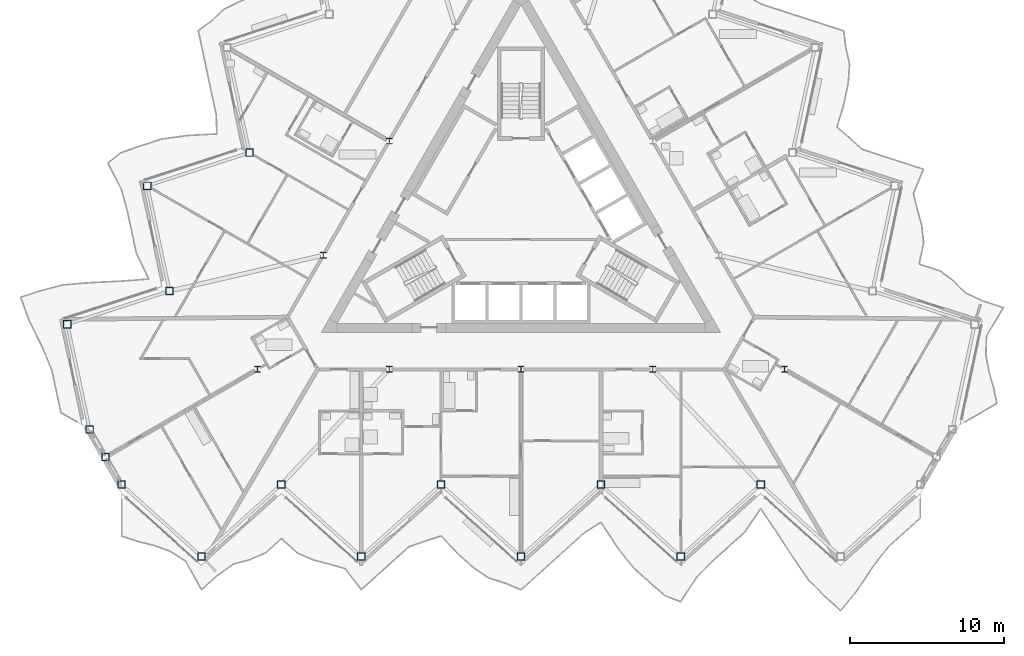
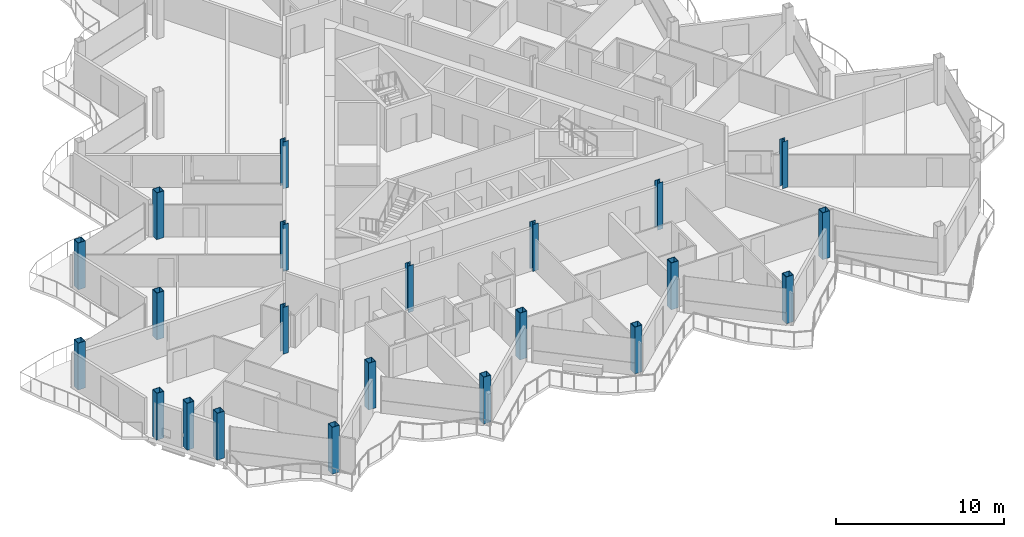
# One storey, part 1 of 26: 22 columns.
"""IFC4 building model written with IfcOpenShell, lengths in metres."""

from ifc_helpers import new_model, si_unit, direction, frame, origin, origin_2d, place, context, subcontext, project, spatial, hollow_rectangle, i_section, extrude, material, material_profile, profile_set, type_object, element, save


model = new_model("IFC4")

# Units and contexts
model_context = context("Model", 3, precision=1e-05, world=origin(), true_north=direction((0.0, 1.0)))
body_context = subcontext(model_context, "Body", "Model", "MODEL_VIEW")
ifc_project = project(units=[si_unit("LENGTHUNIT", "METRE"), si_unit("AREAUNIT", "SQUARE_METRE"), si_unit("VOLUMEUNIT", "CUBIC_METRE"), si_unit("PLANEANGLEUNIT", "RADIAN"), si_unit("MASSUNIT", "GRAM", prefix="KILO")], contexts=[model_context])

# Site, building, storey
site_placement = place(None, origin())
site = spatial("IfcSite", under=ifc_project, at=site_placement, CompositionType="ELEMENT")
building_placement = place(site_placement, origin())
building = spatial("IfcBuilding", under=site, at=building_placement, Name="Cormorant Prow Tower", CompositionType="ELEMENT")
storey_placement = place(building_placement, frame((0.0, 0.0, 371.199951171875)))
storey = spatial("IfcBuildingStorey", under=building, at=storey_placement, Name="L83", CompositionType="ELEMENT", Elevation=371.199951171875)

# Columns
ifc_material_1 = material(Name="Structural steel ASTM A572 Gr 50", Category="steel")
ifc_material_profile_1 = material_profile(ifc_material_1, hollow_rectangle(XDim=0.5, YDim=0.5, WallThickness=0.030029296875, at=origin_2d()), Name="Box 500x500x30")
ifc_profile_set_1 = profile_set([ifc_material_profile_1], Name="Structural steel ASTM A572 Gr 50")
column_type_1 = type_object("IfcColumnType", Name="Perimeter box column 500x500x30", PredefinedType="COLUMN", material=ifc_profile_set_1)
for number, where, z_axis, x_axis, name in (
    (1, (-26.0, -17.40576171875, 0.0), (0.0, 0.0, 1.0), (1.0, 0.0, 0.0), "Perimeter column C7 at S00 L83"),
    (2, (-20.800048828125, -22.087890625, 0.0), (0.0, 0.0, 1.0), (1.0, 0.0, 0.0), "Perimeter column C7 at S01 L83"),
    (3, (-15.60009765625, -17.40576171875, 0.0), (0.0, 0.0, 1.0), (1.0, 0.0, 0.0), "Perimeter column C7 at S02 L83"),
    (4, (-10.39990234375, -22.087890625, 0.0), (0.0, 0.0, 1.0), (1.0, 0.0, 0.0), "Perimeter column C7 at S03 L83"),
    (5, (-5.199951171875, -17.40576171875, 0.0), (0.0, 0.0, 1.0), (1.0, 0.0, 0.0), "Perimeter column C7 at S04 L83"),
    (6, (0.0, -22.087890625, 0.0), (0.0, 0.0, 1.0), (1.0, 0.0, 0.0), "Perimeter column C7 at S05 L83"),
    (7, (5.199951171875, -17.40576171875, 0.0), (0.0, 0.0, 1.0), (1.0, 0.0, 0.0), "Perimeter column C7 at S06 L83"),
    (8, (10.39990234375, -22.087890625, 0.0), (0.0, 0.0, 1.0), (1.0, 0.0, 0.0), "Perimeter column C7 at S07 L83"),
    (9, (15.60009765625, -17.40576171875, 0.0), (0.0, 0.0, 1.0), (1.0, 0.0, 0.0), "Perimeter column C7 at S08 L83"),
    (10, (-17.673828125, 4.199462890625, 0.0), (0.0, 0.0, 1.0), (1.0, 0.0, 0.0), "Perimeter column C7 at WNW06 L83"),
    (11, (-24.32861328125, 2.037353515625, 0.0), (0.0, 0.0, 1.0), (1.0, 0.0, 0.0), "Perimeter column C7 at WNW07 L83"),
    (12, (-22.873779296875, -4.80712890625, 0.0), (0.0, 0.0, 1.0), (1.0, 0.0, 0.0), "Perimeter column C7 at WNW08 L83"),
    (13, (-29.528564453125, -6.969482421875, 0.0), (0.0, 0.0, 1.0), (1.0, 0.0, 0.0), "Perimeter column C7 at WNW09 L83"),
    (14, (-28.07373046875, -13.813720703125, 0.0), (0.0, 0.0, 1.0), (1.0, 0.0, 0.0), "Perimeter column C7 at WSW00 L83"),
    (15, (-27.036865234375, -15.60986328125, 0.0), (0.0, 0.0, 1.0), (1.0, 0.0, 0.0), "Perimeter column C7 at WSW01 L83"),
):
    element("IfcColumn", number, at=place(storey_placement, frame(where, z_axis=z_axis, x_axis=x_axis)), inside=storey, type_object=column_type_1, Name=name, PredefinedType="COLUMN", context=body_context, shape_type="SweptSolid", body=[
        extrude(hollow_rectangle(XDim=0.5, YDim=0.5, WallThickness=0.030029296875, at=origin_2d()), origin(), (0.0, 0.0, 1.0), 3.400146484375),
    ])
ifc_material_2 = material(Name="Structural steel ASTM A992 Gr 50", Category="steel")
ifc_material_profile_2 = material_profile(ifc_material_2, i_section(OverallWidth=0.3740234375, OverallDepth=0.372314453125, WebThickness=0.016357421875, FlangeThickness=0.026123046875, at=origin_2d()), Name="W14x132")
ifc_profile_set_2 = profile_set([ifc_material_profile_2], Name="Structural steel ASTM A992 Gr 50")
column_type_2 = type_object("IfcColumnType", Name="Ring column W14x132", PredefinedType="COLUMN", material=ifc_profile_set_2)
for number, where, z_axis, x_axis, name in (
    (16, (-8.578369140625, 4.952880859375, 0.0), (0.0, 0.0, 1.0), (1.0, 0.0, 0.0), "Ring column 3 L83"),
    (17, (-12.86767578125, -2.476318359375, 0.0), (0.0, 0.0, 1.0), (1.0, 0.0, 0.0), "Ring column 4 L83"),
    (18, (-17.156982421875, -9.905517578125, 0.0), (0.0, 0.0, 1.0), (1.0, 0.0, 0.0), "Ring column 5 L83"),
    (19, (-8.578369140625, -9.905517578125, 0.0), (0.0, 0.0, 1.0), (1.0, 0.0, 0.0), "Ring column 6 L83"),
    (20, (0.0, -9.905517578125, 0.0), (0.0, 0.0, 1.0), (1.0, 0.0, 0.0), "Ring column 7 L83"),
    (21, (8.578369140625, -9.905517578125, 0.0), (0.0, 0.0, 1.0), (1.0, 0.0, 0.0), "Ring column 8 L83"),
    (22, (17.156982421875, -9.905517578125, 0.0), (0.0, 0.0, 1.0), (1.0, 0.0, 0.0), "Ring column 9 L83"),
):
    element("IfcColumn", number, at=place(storey_placement, frame(where, z_axis=z_axis, x_axis=x_axis)), inside=storey, type_object=column_type_2, Name=name, PredefinedType="COLUMN", context=body_context, shape_type="SweptSolid", body=[
        extrude(i_section(OverallWidth=0.3740234375, OverallDepth=0.372314453125, WebThickness=0.016357421875, FlangeThickness=0.026123046875, at=origin_2d()), origin(), (0.0, 0.0, 1.0), 3.400146484375),
    ])

save(model, "model.ifc")
